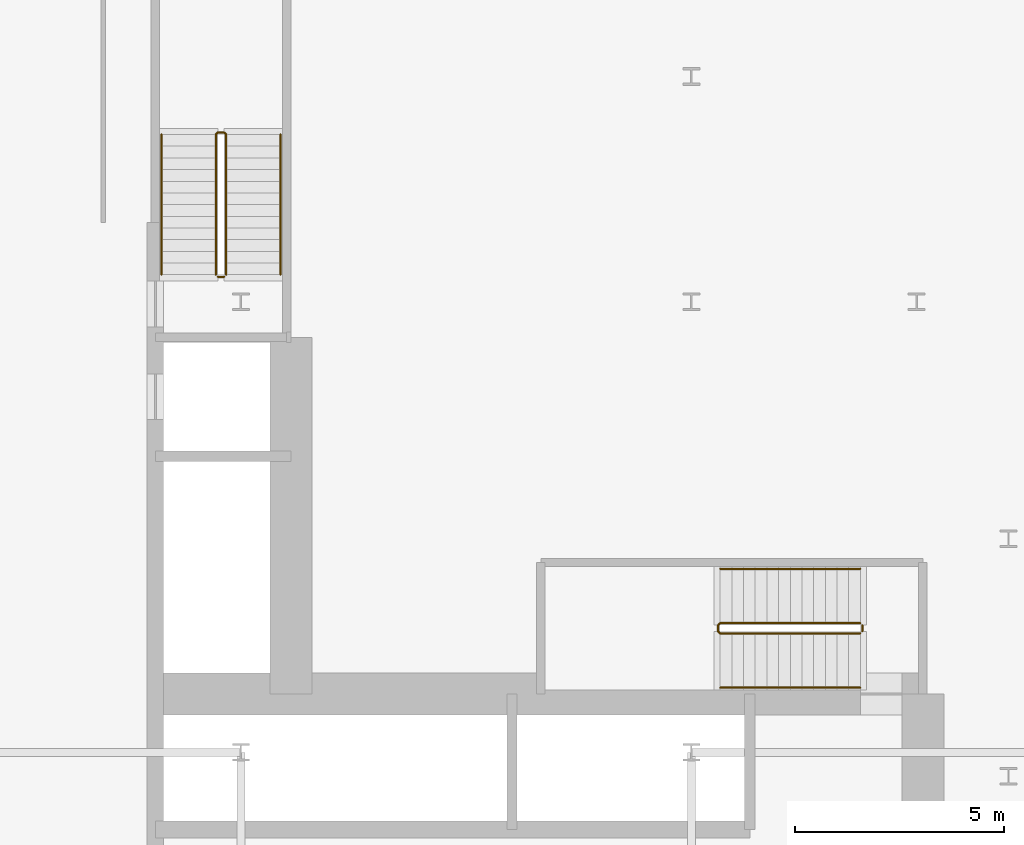
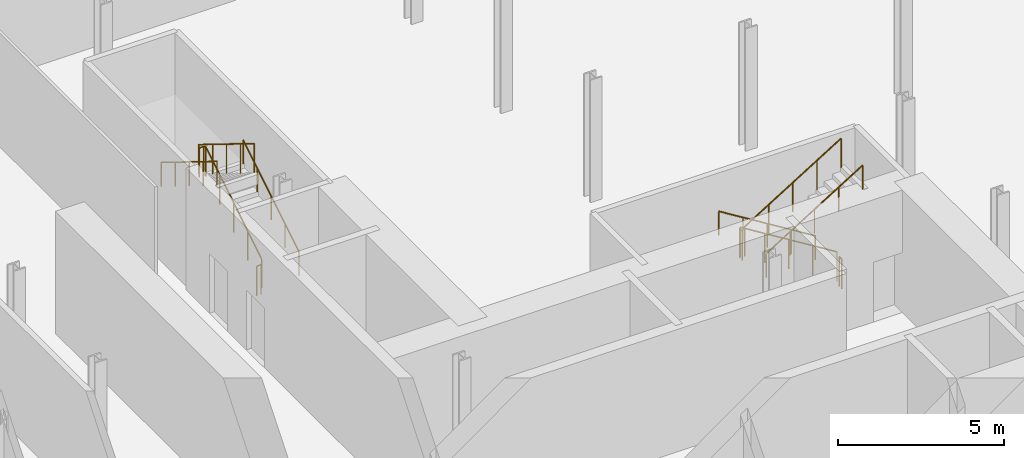
# One storey, part 40 of 47: 8 railings.
"""IFC4 building model written with IfcOpenShell, lengths in metres."""

from ifc_helpers import new_model, si_unit, direction, frame, origin, origin_2d, place, context, subcontext, project, spatial, circle, extrude, material, type_object, element, save


model = new_model("IFC4")

# Units and contexts
model_context = context("Model", 3, precision=1e-05, world=origin(), true_north=direction((0.0, 1.0)))
body_context = subcontext(model_context, "Body", "Model", "MODEL_VIEW")
ifc_project = project(units=[si_unit("LENGTHUNIT", "METRE"), si_unit("AREAUNIT", "SQUARE_METRE"), si_unit("VOLUMEUNIT", "CUBIC_METRE"), si_unit("PLANEANGLEUNIT", "RADIAN"), si_unit("MASSUNIT", "GRAM", prefix="KILO")], contexts=[model_context])

# Site, building, storey
site_placement = place(None, origin())
site = spatial("IfcSite", under=ifc_project, at=site_placement, CompositionType="ELEMENT")
building_placement = place(site_placement, origin())
building = spatial("IfcBuilding", under=site, at=building_placement, Name="Kheshtan School and Residences Tower", CompositionType="ELEMENT")
storey_placement = place(building_placement, frame((0.0, 0.0, 17.0)))
storey = spatial("IfcBuildingStorey", under=building, at=storey_placement, Name="L03", CompositionType="ELEMENT", Elevation=17.0)

# Railings
ifc_material_1 = material(Name="Stainless steel balustrade", Category="steel")
railing_type_1 = type_object("IfcRailingType", Name="Stair guard 1100", PredefinedType="GUARDRAIL", material=ifc_material_1)
railing_1_placement = place(storey_placement, frame((51.64990234375, 37.89990234375, 0.173095703125)))
element("IfcRailing", 1, at=railing_1_placement, inside=storey, type_object=railing_type_1, Name="L03 ST1 stair guard 1", PredefinedType="GUARDRAIL", context=body_context, shape_type="SweptSolid", body=[
    extrude(circle(Radius=0.02392578125, at=origin_2d()), frame((0.0, 0.0, 1.076171875), z_axis=(-0.850606129759, 0.0, 0.525803396734), x_axis=(0.0, -1.0, 0.0)), (0.0, 0.0, 1.0), 3.949951171875),
    extrude(circle(Radius=0.02392578125, at=origin_2d()), frame((-3.35986328125, 0.0, 3.15283203125), z_axis=(-0.708833529934, -0.705375805398, 0.0), x_axis=(0.705375805398, -0.708833529934, 0.0)), (0.0, 0.0, 1.0), 0.070556640625),
    extrude(circle(Radius=0.02392578125, at=origin_2d()), frame((-3.409912109375, -0.0498046875, 3.15283203125), z_axis=(0.0, -1.0, 0.0), x_axis=(1.0, 0.0, 0.0)), (0.0, 0.0, 1.0), 0.150146484375),
    extrude(circle(Radius=0.02392578125, at=origin_2d()), frame((-3.409912109375, -0.199951171875, 3.15283203125), z_axis=(0.267629722418, -0.267629722418, 0.925607186314), x_axis=(0.707106781187, 0.707106781187, 0.0)), (0.0, 0.0, 1.0), 0.18701171875),
    extrude(circle(Radius=0.02392578125, at=origin_2d()), frame((-3.35986328125, -0.25, 3.326171875), z_axis=(0.850606129759, 0.0, 0.525803396734), x_axis=(0.0, 1.0, 0.0)), (0.0, 0.0, 1.0), 3.949951171875),
    extrude(circle(Radius=0.02099609375, at=origin_2d()), origin(), (0.0, 0.0, 1.0), 1.052001953125),
    extrude(circle(Radius=0.02099609375, at=origin_2d()), frame((-0.83984375, 0.0, 0.519287109375)), (0.0, 0.0, 1.0), 1.052001953125),
    extrude(circle(Radius=0.02099609375, at=origin_2d()), frame((-1.679931640625, 0.0, 1.03857421875)), (0.0, 0.0, 1.0), 1.052001953125),
    extrude(circle(Radius=0.02099609375, at=origin_2d()), frame((-2.52001953125, 0.0, 1.5576171875)), (0.0, 0.0, 1.0), 1.052001953125),
    extrude(circle(Radius=0.02099609375, at=origin_2d()), frame((-3.35986328125, 0.0, 2.076904296875)), (0.0, 0.0, 1.0), 1.052001953125),
    extrude(circle(Radius=0.02099609375, at=origin_2d()), frame((-3.409912109375, -0.0498046875, 2.076904296875)), (0.0, 0.0, 1.0), 1.052001953125),
    extrude(circle(Radius=0.02099609375, at=origin_2d()), frame((-3.409912109375, -0.199951171875, 2.076904296875)), (0.0, 0.0, 1.0), 1.052001953125),
    extrude(circle(Radius=0.02099609375, at=origin_2d()), frame((-3.35986328125, -0.25, 2.25)), (0.0, 0.0, 1.0), 1.052001953125),
    extrude(circle(Radius=0.02099609375, at=origin_2d()), frame((-2.52001953125, -0.25, 2.769287109375)), (0.0, 0.0, 1.0), 1.052001953125),
    extrude(circle(Radius=0.02099609375, at=origin_2d()), frame((-1.679931640625, -0.25, 3.28857421875)), (0.0, 0.0, 1.0), 1.052001953125),
    extrude(circle(Radius=0.02099609375, at=origin_2d()), frame((-0.83984375, -0.25, 3.8076171875)), (0.0, 0.0, 1.0), 1.052001953125),
    extrude(circle(Radius=0.02099609375, at=origin_2d()), frame((0.0, -0.25, 4.326904296875)), (0.0, 0.0, 1.0), 1.052001953125),
])
railing_2_placement = place(storey_placement, frame((51.699951171875, 37.85009765625, 0.0)))
element("IfcRailing", 2, at=railing_2_placement, inside=storey, type_object=railing_type_1, Name="L03 ST1 stair guard 2", PredefinedType="GUARDRAIL", context=body_context, shape_type="SweptSolid", body=[
    extrude(circle(Radius=0.02392578125, at=origin_2d()), frame((0.0, 0.0, 1.076171875), z_axis=(0.0, -1.0, 0.0), x_axis=(1.0, 0.0, 0.0)), (0.0, 0.0, 1.0), 0.150146484375),
    extrude(circle(Radius=0.02099609375, at=origin_2d()), origin(), (0.0, 0.0, 1.0), 1.052001953125),
    extrude(circle(Radius=0.02099609375, at=origin_2d()), frame((0.0, -0.150146484375, 0.0)), (0.0, 0.0, 1.0), 1.052001953125),
])
railing_3_placement = place(storey_placement, frame((36.449951171875, 46.25, 0.173095703125)))
element("IfcRailing", 3, at=railing_3_placement, inside=storey, type_object=railing_type_1, Name="L03 ST2 stair guard 1", PredefinedType="GUARDRAIL", context=body_context, shape_type="SweptSolid", body=[
    extrude(circle(Radius=0.02392578125, at=origin_2d()), frame((0.0, 0.0, 1.076171875), z_axis=(0.0, 0.850623216509, 0.525775754039), x_axis=(-1.0, 0.0, 0.0)), (0.0, 0.0, 1.0), 3.9501953125),
    extrude(circle(Radius=0.02392578125, at=origin_2d()), frame((0.0, 3.360107421875, 3.15283203125), z_axis=(-0.708833529934, 0.705375805398, 0.0), x_axis=(-0.705375805398, -0.708833529934, 0.0)), (0.0, 0.0, 1.0), 0.070556640625),
    extrude(circle(Radius=0.02392578125, at=origin_2d()), frame((-0.050048828125, 3.409912109375, 3.15283203125), z_axis=(-1.0, 0.0, 0.0), x_axis=(0.0, -1.0, 0.0)), (0.0, 0.0, 1.0), 0.14990234375),
    extrude(circle(Radius=0.02392578125, at=origin_2d()), frame((-0.199951171875, 3.409912109375, 3.15283203125), z_axis=(-0.267723051232, -0.266417085129, 0.925929967433), x_axis=(0.705375805398, -0.708833529934, 0.0)), (0.0, 0.0, 1.0), 0.18701171875),
    extrude(circle(Radius=0.02392578125, at=origin_2d()), frame((-0.25, 3.360107421875, 3.326171875), z_axis=(0.0, -0.850623216509, 0.525775754039), x_axis=(1.0, 0.0, 0.0)), (0.0, 0.0, 1.0), 3.9501953125),
    extrude(circle(Radius=0.02099609375, at=origin_2d()), origin(), (0.0, 0.0, 1.0), 1.052001953125),
    extrude(circle(Radius=0.02099609375, at=origin_2d()), frame((0.0, 0.840087890625, 0.519287109375)), (0.0, 0.0, 1.0), 1.052001953125),
    extrude(circle(Radius=0.02099609375, at=origin_2d()), frame((0.0, 1.68017578125, 1.03857421875)), (0.0, 0.0, 1.0), 1.052001953125),
    extrude(circle(Radius=0.02099609375, at=origin_2d()), frame((0.0, 2.52001953125, 1.5576171875)), (0.0, 0.0, 1.0), 1.052001953125),
    extrude(circle(Radius=0.02099609375, at=origin_2d()), frame((0.0, 3.360107421875, 2.076904296875)), (0.0, 0.0, 1.0), 1.052001953125),
    extrude(circle(Radius=0.02099609375, at=origin_2d()), frame((-0.050048828125, 3.409912109375, 2.076904296875)), (0.0, 0.0, 1.0), 1.052001953125),
    extrude(circle(Radius=0.02099609375, at=origin_2d()), frame((-0.199951171875, 3.409912109375, 2.076904296875)), (0.0, 0.0, 1.0), 1.052001953125),
    extrude(circle(Radius=0.02099609375, at=origin_2d()), frame((-0.25, 3.360107421875, 2.25)), (0.0, 0.0, 1.0), 1.052001953125),
    extrude(circle(Radius=0.02099609375, at=origin_2d()), frame((-0.25, 2.52001953125, 2.769287109375)), (0.0, 0.0, 1.0), 1.052001953125),
    extrude(circle(Radius=0.02099609375, at=origin_2d()), frame((-0.25, 1.68017578125, 3.28857421875)), (0.0, 0.0, 1.0), 1.052001953125),
    extrude(circle(Radius=0.02099609375, at=origin_2d()), frame((-0.25, 0.840087890625, 3.8076171875)), (0.0, 0.0, 1.0), 1.052001953125),
    extrude(circle(Radius=0.02099609375, at=origin_2d()), frame((-0.25, 0.0, 4.326904296875)), (0.0, 0.0, 1.0), 1.052001953125),
])
railing_4_placement = place(storey_placement, frame((36.39990234375, 46.199951171875, 0.0)))
element("IfcRailing", 4, at=railing_4_placement, inside=storey, type_object=railing_type_1, Name="L03 ST2 stair guard 2", PredefinedType="GUARDRAIL", context=body_context, shape_type="SweptSolid", body=[
    extrude(circle(Radius=0.02392578125, at=origin_2d()), frame((0.0, 0.0, 1.076171875), z_axis=(-1.0, 0.0, 0.0), x_axis=(0.0, -1.0, 0.0)), (0.0, 0.0, 1.0), 0.14990234375),
    extrude(circle(Radius=0.02099609375, at=origin_2d()), origin(), (0.0, 0.0, 1.0), 1.052001953125),
    extrude(circle(Radius=0.02099609375, at=origin_2d()), frame((-0.14990234375, 0.0, 0.0)), (0.0, 0.0, 1.0), 1.052001953125),
])
ifc_material_2 = material(Name="Stainless steel handrail", Category="steel")
railing_type_2 = type_object("IfcRailingType", Name="Stair handrail 900", PredefinedType="HANDRAIL", material=ifc_material_2)
railing_5_placement = place(storey_placement, frame((51.64990234375, 39.199951171875, 0.173095703125)))
element("IfcRailing", 5, at=railing_5_placement, inside=storey, type_object=railing_type_2, Name="L03 ST1 stair handrail 1", PredefinedType="HANDRAIL", context=body_context, shape_type="SweptSolid", body=[
    extrude(circle(Radius=0.02392578125, at=origin_2d()), frame((0.0, 0.0, 0.8759765625), z_axis=(-0.850606129759, 0.0, 0.525803396734), x_axis=(0.0, -1.0, 0.0)), (0.0, 0.0, 1.0), 3.949951171875),
    extrude(circle(Radius=0.02099609375, at=origin_2d()), origin(), (0.0, 0.0, 1.0), 0.851806640625),
    extrude(circle(Radius=0.02099609375, at=origin_2d()), frame((-0.83984375, 0.0, 0.519287109375)), (0.0, 0.0, 1.0), 0.851806640625),
    extrude(circle(Radius=0.02099609375, at=origin_2d()), frame((-1.679931640625, 0.0, 1.03857421875)), (0.0, 0.0, 1.0), 0.851806640625),
    extrude(circle(Radius=0.02099609375, at=origin_2d()), frame((-2.52001953125, 0.0, 1.5576171875)), (0.0, 0.0, 1.0), 0.851806640625),
    extrude(circle(Radius=0.02099609375, at=origin_2d()), frame((-3.35986328125, 0.0, 2.076904296875)), (0.0, 0.0, 1.0), 0.851806640625),
])
railing_6_placement = place(storey_placement, frame((48.2900390625, 36.35009765625, 2.423095703125)))
element("IfcRailing", 6, at=railing_6_placement, inside=storey, type_object=railing_type_2, Name="L03 ST1 stair handrail 2", PredefinedType="HANDRAIL", context=body_context, shape_type="SweptSolid", body=[
    extrude(circle(Radius=0.02392578125, at=origin_2d()), frame((0.0, 0.0, 0.8759765625), z_axis=(0.850606129759, 0.0, 0.525803396734), x_axis=(0.0, 1.0, 0.0)), (0.0, 0.0, 1.0), 3.949951171875),
    extrude(circle(Radius=0.02099609375, at=origin_2d()), origin(), (0.0, 0.0, 1.0), 0.851806640625),
    extrude(circle(Radius=0.02099609375, at=origin_2d()), frame((0.83984375, 0.0, 0.519287109375)), (0.0, 0.0, 1.0), 0.851806640625),
    extrude(circle(Radius=0.02099609375, at=origin_2d()), frame((1.679931640625, 0.0, 1.03857421875)), (0.0, 0.0, 1.0), 0.851806640625),
    extrude(circle(Radius=0.02099609375, at=origin_2d()), frame((2.52001953125, 0.0, 1.5576171875)), (0.0, 0.0, 1.0), 0.851806640625),
    extrude(circle(Radius=0.02099609375, at=origin_2d()), frame((3.35986328125, 0.0, 2.076904296875)), (0.0, 0.0, 1.0), 0.851806640625),
])
railing_7_placement = place(storey_placement, frame((37.75, 46.25, 0.173095703125)))
element("IfcRailing", 7, at=railing_7_placement, inside=storey, type_object=railing_type_2, Name="L03 ST2 stair handrail 1", PredefinedType="HANDRAIL", context=body_context, shape_type="SweptSolid", body=[
    extrude(circle(Radius=0.02392578125, at=origin_2d()), frame((0.0, 0.0, 0.8759765625), z_axis=(0.0, 0.850623216509, 0.525775754039), x_axis=(-1.0, 0.0, 0.0)), (0.0, 0.0, 1.0), 3.9501953125),
    extrude(circle(Radius=0.02099609375, at=origin_2d()), origin(), (0.0, 0.0, 1.0), 0.851806640625),
    extrude(circle(Radius=0.02099609375, at=origin_2d()), frame((0.0, 0.840087890625, 0.519287109375)), (0.0, 0.0, 1.0), 0.851806640625),
    extrude(circle(Radius=0.02099609375, at=origin_2d()), frame((0.0, 1.68017578125, 1.03857421875)), (0.0, 0.0, 1.0), 0.851806640625),
    extrude(circle(Radius=0.02099609375, at=origin_2d()), frame((0.0, 2.52001953125, 1.5576171875)), (0.0, 0.0, 1.0), 0.851806640625),
    extrude(circle(Radius=0.02099609375, at=origin_2d()), frame((0.0, 3.360107421875, 2.076904296875)), (0.0, 0.0, 1.0), 0.851806640625),
])
railing_8_placement = place(storey_placement, frame((34.89990234375, 49.610107421875, 2.423095703125)))
element("IfcRailing", 8, at=railing_8_placement, inside=storey, type_object=railing_type_2, Name="L03 ST2 stair handrail 2", PredefinedType="HANDRAIL", context=body_context, shape_type="SweptSolid", body=[
    extrude(circle(Radius=0.02392578125, at=origin_2d()), frame((0.0, 0.0, 0.8759765625), z_axis=(0.0, -0.850623216509, 0.525775754039), x_axis=(1.0, 0.0, 0.0)), (0.0, 0.0, 1.0), 3.9501953125),
    extrude(circle(Radius=0.02099609375, at=origin_2d()), origin(), (0.0, 0.0, 1.0), 0.851806640625),
    extrude(circle(Radius=0.02099609375, at=origin_2d()), frame((0.0, -0.840087890625, 0.519287109375)), (0.0, 0.0, 1.0), 0.851806640625),
    extrude(circle(Radius=0.02099609375, at=origin_2d()), frame((0.0, -1.68017578125, 1.03857421875)), (0.0, 0.0, 1.0), 0.851806640625),
    extrude(circle(Radius=0.02099609375, at=origin_2d()), frame((0.0, -2.52001953125, 1.5576171875)), (0.0, 0.0, 1.0), 0.851806640625),
    extrude(circle(Radius=0.02099609375, at=origin_2d()), frame((0.0, -3.360107421875, 2.076904296875)), (0.0, 0.0, 1.0), 0.851806640625),
])

save(model, "model.ifc")
